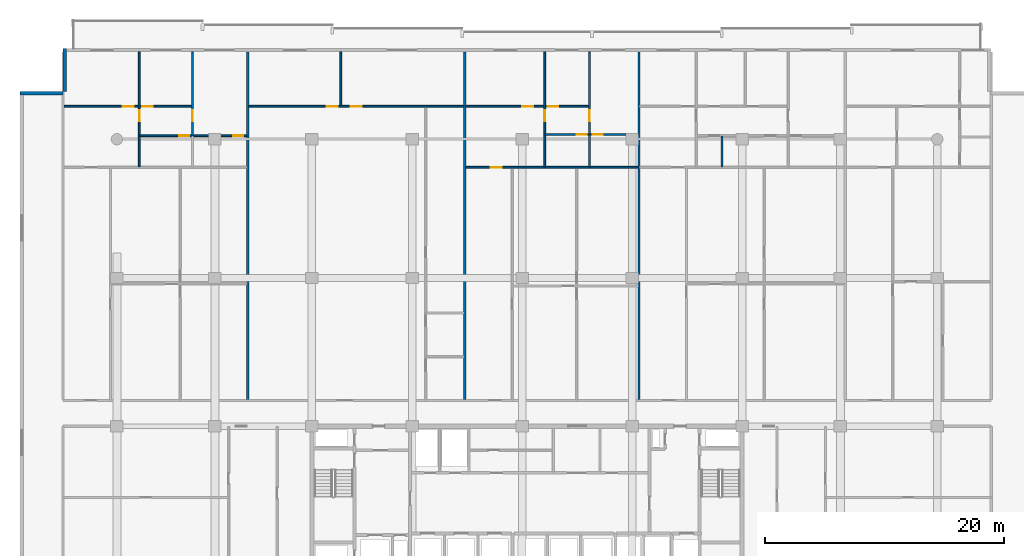
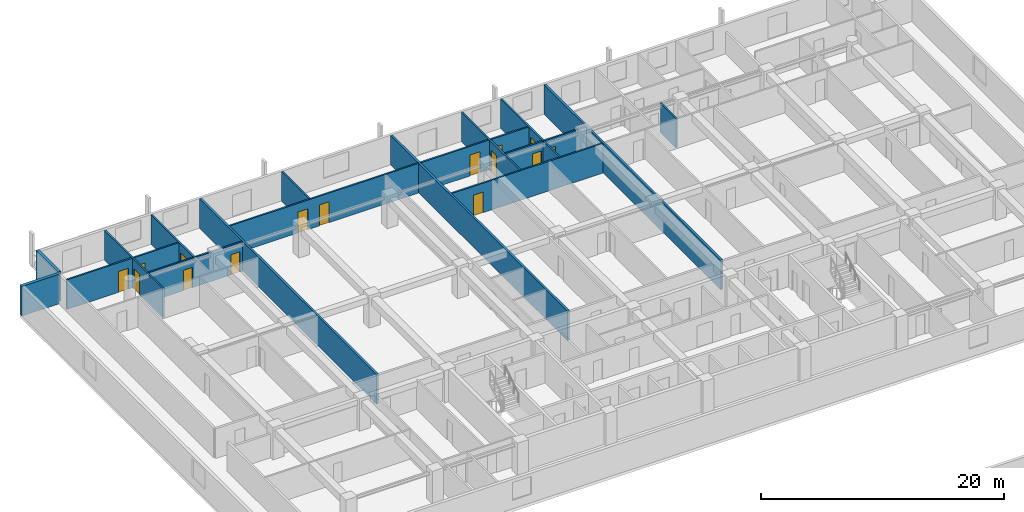
# One storey, part 15 of 24: 18 walls, 15 doors, 15 openings.
"""IFC4 building model written with IfcOpenShell, lengths in metres."""

import ifcopenshell
import ifcopenshell.guid

model = None  # the IFC model being written
_history = None  # IfcOwnerHistory: only IFC2X3 demands one
_inside = {}  # id of a spatial element -> (the spatial element, [elements in it])
_under = {}  # id of a project, library or spatial element -> (it, [spatial elements below it])
_declared = {}  # id of a project -> (the project, [libraries it declares])
_typed = {}  # id of a type object -> (the type object, [elements of that type])
_made_of = {}  # id of a material, layer set ... -> (it, [elements and type objects made of it])


def new_model(schema):
    """Start an empty IFC model of exactly this schema.

    Asked for "IFC4X3", IfcOpenShell would pick the latest addendum, in which some entities
    have other attributes; the version numbers below select the first issue.
    IFC2X3 requires an IfcOwnerHistory on every rooted entity: one is made here for all.
    """
    global model, _history
    if schema == "IFC4X3":
        model = ifcopenshell.file(schema_version=(4, 3, 0, 0))
    else:
        model = ifcopenshell.file(schema=schema)
    _inside.clear()
    _under.clear()
    _declared.clear()
    _typed.clear()
    _made_of.clear()
    _history = None
    if model.schema == "IFC2X3":
        org = make("IfcOrganization", Name="unknown")
        user = make(
            "IfcPersonAndOrganization",
            ThePerson=make("IfcPerson", FamilyName="unknown"),
            TheOrganization=org,
        )
        app = make(
            "IfcApplication",
            ApplicationDeveloper=org,
            Version="unknown",
            ApplicationFullName="unknown",
            ApplicationIdentifier="unknown",
        )
        _history = make(
            "IfcOwnerHistory",
            OwningUser=user,
            OwningApplication=app,
            ChangeAction="ADDED",
            CreationDate=0,
        )
    return model


def make(cls, **values):
    """One entity of the class cls with the attributes given. An attribute that is None is left unset."""
    return model.create_entity(
        cls, **{name: value for name, value in values.items() if value is not None}
    )


def rooted(cls, **values):
    """An entity with a GlobalId (a new one), such as an element, a storey or a relation."""
    return make(cls, GlobalId=ifcopenshell.guid.new(), OwnerHistory=_history, **values)


def si_unit(unit_type, name, prefix=None):
    """IfcSIUnit, for example si_unit("LENGTHUNIT", "METRE", prefix="MILLI")."""
    return make("IfcSIUnit", UnitType=unit_type, Prefix=prefix, Name=name)


def assignment(units):
    """IfcUnitAssignment: the units of a project."""
    return None if units is None else make("IfcUnitAssignment", Units=units)


def point(xyz):
    """IfcCartesianPoint."""
    return None if xyz is None else make("IfcCartesianPoint", Coordinates=xyz)


def direction(xyz):
    """IfcDirection."""
    return None if xyz is None else make("IfcDirection", DirectionRatios=xyz)


def frame(location, z_axis=None, x_axis=None):
    """IfcAxis2Placement3D, a coordinate frame: its origin and axes. An axis left out is left unset."""
    return make(
        "IfcAxis2Placement3D",
        Location=point(location),
        Axis=direction(z_axis),
        RefDirection=direction(x_axis),
    )


def frame_2d(location, x_axis=None):
    """IfcAxis2Placement2D, a coordinate frame in the plane: its origin and x axis."""
    return make(
        "IfcAxis2Placement2D", Location=point(location), RefDirection=direction(x_axis)
    )


def origin():
    """The frame at (0, 0, 0) with its axes left unset."""
    return frame((0.0, 0.0, 0.0))


def place(relative_to, where):
    """IfcLocalPlacement: puts the frame where relative to a parent placement (None: the world)."""
    return make(
        "IfcLocalPlacement", PlacementRelTo=relative_to, RelativePlacement=where
    )


def context(
    kind, dimensions, precision=None, world=None, true_north=None, identifier=None
):
    """IfcGeometricRepresentationContext, for example the 3D "Model" context."""
    return make(
        "IfcGeometricRepresentationContext",
        ContextIdentifier=identifier,
        ContextType=kind,
        CoordinateSpaceDimension=dimensions,
        Precision=precision,
        WorldCoordinateSystem=world,
        TrueNorth=true_north,
    )


def subcontext(parent, identifier, kind, view, scale=None):
    """IfcGeometricRepresentationSubContext, for example "Body" below "Model"."""
    return make(
        "IfcGeometricRepresentationSubContext",
        ContextIdentifier=identifier,
        ContextType=kind,
        ParentContext=parent,
        TargetScale=scale,
        TargetView=view,
    )


def project(units=None, contexts=None):
    """IfcProject with its units and contexts."""
    return rooted(
        "IfcProject",
        Name="project",
        RepresentationContexts=contexts,
        UnitsInContext=assignment(units),
    )


def spatial(cls, under=None, at=None, **own):
    """A site, building, storey or space (cls), placed at a placement, below another one or the project."""
    s = rooted(cls, ObjectPlacement=at, **own)
    if under is not None:
        _under.setdefault(under.id(), (under, []))[1].append(s)
    return s


def profile(cls, at=None, kind="AREA", **sizes):
    """A parametric profile (cls). Its sizes go by their IFC names, for example OverallWidth=200.0."""
    return make(cls, ProfileType=kind, Position=at, **sizes)


def rectangle(**sizes):
    """IfcRectangleProfileDef."""
    return profile("IfcRectangleProfileDef", **sizes)


def extrude(swept, where, along, depth):
    """IfcExtrudedAreaSolid: the profile swept, set in the frame where, extruded along a direction by depth."""
    return make(
        "IfcExtrudedAreaSolid",
        SweptArea=swept,
        Position=where,
        ExtrudedDirection=direction(along),
        Depth=depth,
    )


def shape(context_of_items, identifier, shape_type, items):
    """IfcShapeRepresentation: the items that make up one representation, for example the "Body"."""
    return make(
        "IfcShapeRepresentation",
        ContextOfItems=context_of_items,
        RepresentationIdentifier=identifier,
        RepresentationType=shape_type,
        Items=items,
    )


def material(Name=None, Category=None):
    """IfcMaterial."""
    return make("IfcMaterial", Name=Name, Category=Category)


def layer(
    of_material, thickness, ventilated=None, Name=None, Category=None, Priority=None
):
    """IfcMaterialLayer: one layer of a wall or slab, of a material (None: an air gap)."""
    return make(
        "IfcMaterialLayer",
        Material=of_material,
        LayerThickness=thickness,
        IsVentilated=ventilated,
        Name=Name,
        Category=Category,
        Priority=Priority,
    )


def layer_set(layers, Name=None):
    """IfcMaterialLayerSet."""
    return make("IfcMaterialLayerSet", MaterialLayers=layers, LayerSetName=Name)


def made_of(thing, what):
    """Note that an element or type object is made of a material, layer set ...; save() writes the relation."""
    if what is not None:
        _made_of.setdefault(what.id(), (what, []))[1].append(thing)
    return thing


def type_object(cls, material=None, **own):
    """A type object (cls), such as IfcWallType, which elements share."""
    return made_of(rooted(cls, **own), material)


def element(
    cls,
    number,
    at=None,
    inside=None,
    cuts=None,
    type_object=None,
    material=None,
    context=None,
    identifier="Body",
    shape_type=None,
    held_by="IfcProductDefinitionShape",
    body=None,
    shapes=None,
    **own,
):
    """One element of the class cls, such as IfcWall. Its Tag is "e" and its number.

    at: its placement. inside: the storey or other place that contains it. cuts: it is an
    opening in that element (IfcRelVoidsElement). A single representation is given by context,
    identifier, shape_type and body (its items); several are given by shapes. held_by: the class
    of the entity that holds the representations. save() writes the other relations.
    """
    e = rooted(cls, Tag="e%d" % number, ObjectPlacement=at, **own)
    if body is not None:
        shapes = [shape(context, identifier, shape_type, body)]
    if shapes is not None:
        e.Representation = make(held_by, Representations=shapes)
    if inside is not None:
        _inside.setdefault(inside.id(), (inside, []))[1].append(e)
    if cuts is not None:
        rooted(
            "IfcRelVoidsElement", RelatingBuildingElement=cuts, RelatedOpeningElement=e
        )
    if type_object is not None:
        _typed.setdefault(type_object.id(), (type_object, []))[1].append(e)
    return made_of(e, material)


def fill(opening, filler):
    """IfcRelFillsElement: the door or window that sits in an opening."""
    return rooted(
        "IfcRelFillsElement",
        RelatingOpeningElement=opening,
        RelatedBuildingElement=filler,
    )


def aggregate(whole, parts):
    """IfcRelAggregates: a whole, such as a stair, and the parts it consists of."""
    return rooted("IfcRelAggregates", RelatingObject=whole, RelatedObjects=parts)


def save(model, path):
    """Write the relations noted so far, then the file.

    IfcRelAggregates (storeys below a building ...), IfcRelContainedInSpatialStructure (elements
    in a storey), IfcRelDefinesByType, IfcRelAssociatesMaterial and IfcRelDeclares: one each for
    every whole, place, type object, material and project.
    """
    for whole, parts in _under.values():
        aggregate(whole, parts)
    for where, things in _inside.values():
        rooted(
            "IfcRelContainedInSpatialStructure",
            RelatedElements=things,
            RelatingStructure=where,
        )
    for kind, things in _typed.values():
        rooted("IfcRelDefinesByType", RelatedObjects=things, RelatingType=kind)
    for what, things in _made_of.values():
        rooted("IfcRelAssociatesMaterial", RelatedObjects=things, RelatingMaterial=what)
    for by, libraries in _declared.values():
        rooted("IfcRelDeclares", RelatingContext=by, RelatedDefinitions=libraries)
    model.write(path)


model = new_model("IFC4")

# Units and contexts
model_context = context("Model", 3, precision=1e-05, world=origin(), true_north=direction((0.0, 1.0)))
body_context = subcontext(model_context, "Body", "Model", "MODEL_VIEW")
ifc_project = project(units=[si_unit("LENGTHUNIT", "METRE"), si_unit("AREAUNIT", "SQUARE_METRE"), si_unit("VOLUMEUNIT", "CUBIC_METRE"), si_unit("PLANEANGLEUNIT", "RADIAN"), si_unit("MASSUNIT", "GRAM", prefix="KILO")], contexts=[model_context])

# Site, building, storey
site_placement = place(None, origin())
site = spatial("IfcSite", under=ifc_project, at=site_placement, CompositionType="ELEMENT")
building_placement = place(site_placement, origin())
building = spatial("IfcBuilding", under=site, at=building_placement, Name="Korimba Cascade Residences", CompositionType="ELEMENT")
storey_placement = place(building_placement, frame((0.0, 0.0, 43.5)))
storey = spatial("IfcBuildingStorey", under=building, at=storey_placement, Name="L11", CompositionType="ELEMENT", Elevation=43.5)

# Walls
ifc_material_1 = material(Name="Precast concrete C40/50", Category="concrete")
ifc_layer_1 = layer(ifc_material_1, 0.300048828125)
ifc_layer_set_1 = layer_set([ifc_layer_1], Name="Precast concrete C40/50")
wall_type_1 = type_object("IfcWallType", Name="EW-STONE-300", PredefinedType="STANDARD", material=ifc_layer_set_1)
for number, where, z_axis, x_axis, name in (
    (1, (55.449951171875, 98.800048828125, 0.0), (0.0, 0.0, 1.0), (0.0, -1.0, 0.0), "L11 T1 Perimeter Stone Wall E07"),
    (2, (55.300048828125, 95.050048828125, 0.0), (0.0, 0.0, 1.0), (-1.0, 0.0, 0.0), "L11 T1 Perimeter Stone Wall E08"),
):
    element("IfcWall", number, at=place(storey_placement, frame(where, z_axis=z_axis, x_axis=x_axis)), inside=storey, type_object=wall_type_1, Name=name, PredefinedType="STANDARD", context=body_context, shape_type="SweptSolid", body=[
        extrude(rectangle(XDim=3.60009765625, YDim=0.300048828125, at=frame_2d((1.800048828125, 0.0))), origin(), (0.0, 0.0, 1.0), 2.969970703125),
    ])
ifc_layer_2 = layer(ifc_material_1, 0.199951171875)
ifc_layer_set_2 = layer_set([ifc_layer_2], Name="Precast concrete C40/50")
wall_type_2 = type_object("IfcWallType", Name="WAL-IT-200", PredefinedType="PARTITIONING", material=ifc_layer_set_2)
for number, where, z_axis, x_axis, name in (
    (3, (70.755126953125, 69.429931640625, 0.0), (0.0, 0.0, 1.0), (0.0, 1.0, 0.0), "L11 Partition Wall WAL-L11-T1-DEM-1"),
    (4, (88.894287109375, 69.429931640625, 0.0), (0.0, 0.0, 1.0), (0.0, 1.0, 0.0), "L11 Partition Wall WAL-L11-T1-DEM-2"),
    (5, (103.45751953125, 69.429931640625, 0.0), (0.0, 0.0, 1.0), (0.0, 1.0, 0.0), "L11 Partition Wall WAL-L11-T1-DEM-3"),
):
    element("IfcWall", number, at=place(storey_placement, frame(where, z_axis=z_axis, x_axis=x_axis)), inside=storey, type_object=wall_type_2, Name=name, PredefinedType="PARTITIONING", context=body_context, shape_type="SweptSolid", body=[
        extrude(rectangle(XDim=29.070068359375, YDim=0.199951171875, at=frame_2d((14.53515625, 0.0))), origin(), (0.0, 0.0, 1.0), 2.969970703125),
    ])

# Wall, opening, door
ifc_material_2 = material(Name="Insulated Acoustic Stud Partition", Category="gypsum")
ifc_layer_3 = layer(ifc_material_2, 0.14990234375)
ifc_layer_set_3 = layer_set([ifc_layer_3], Name="Insulated Acoustic Stud Partition")
wall_type_3 = type_object("IfcWallType", Name="WAL-PART-150", PredefinedType="PARTITIONING", material=ifc_layer_set_3)
wall_1_placement = place(storey_placement, frame((61.679931640625, 88.889892578125, 0.0), z_axis=(0.0, 0.0, 1.0), x_axis=(0.0, 1.0, 0.0)))
wall_1 = element("IfcWall", 6, at=wall_1_placement, inside=storey, type_object=wall_type_3, Name="L11 Partition Wall WAL-L11-T1-U01-V1", PredefinedType="PARTITIONING", context=body_context, shape_type="SweptSolid", body=[
    extrude(rectangle(XDim=9.610107421875, YDim=0.14990234375, at=frame_2d((4.80517578125, 0.0))), origin(), (0.0, 0.0, 1.0), 2.969970703125),
])
opening_1_placement = place(wall_1_placement, frame((3.820068359375, 0.0, 0.0)))
opening_1 = element("IfcOpeningElement", 7, at=opening_1_placement, cuts=wall_1, Name="Opening D-IN1", PredefinedType="OPENING", context=body_context, shape_type="SweptSolid", body=[
    extrude(rectangle(XDim=0.919921875, YDim=2.080078125, at=frame_2d((0.4599609375, 1.0400390625))), frame((0.0, 0.0849609375, 0.0), z_axis=(0.0, -1.0, 0.0), x_axis=(1.0, 0.0, 0.0)), (0.0, 0.0, 1.0), 0.169921875),
])
ifc_material_3 = material(Name="Acoustic Timber Living Door", Category="wood")
door_type_1 = type_object("IfcDoorType", Name="DR-INT-920", OperationType="NOTDEFINED", PredefinedType="DOOR", material=ifc_material_3)
door_1_placement = place(opening_1_placement, origin())
door_1 = element("IfcDoor", 8, at=door_1_placement, inside=storey, type_object=door_type_1, Name="L11-T1-U01 Hallway Door", OperationType="SINGLE_SWING_LEFT", OverallHeight=2.080078125, OverallWidth=0.919921875, PredefinedType="DOOR", context=body_context, shape_type="SweptSolid", body=[
    extrude(rectangle(XDim=0.919921875, YDim=2.080078125, at=frame_2d((0.4599609375, 1.0400390625))), frame((0.0, 0.02490234375, 0.0), z_axis=(0.0, -1.0, 0.0), x_axis=(1.0, 0.0, 0.0)), (0.0, 0.0, 1.0), 0.050048828125),
])
fill(opening_1, door_1)

wall_2_placement = place(storey_placement, frame((66.1201171875, 91.510009765625, 0.0), z_axis=(0.0, 0.0, 1.0), x_axis=(0.0, 1.0, 0.0)))
wall_2 = element("IfcWall", 9, at=wall_2_placement, inside=storey, type_object=wall_type_3, Name="L11 Partition Wall WAL-L11-T1-U01-V2FULL", PredefinedType="PARTITIONING", context=body_context, shape_type="SweptSolid", body=[
    extrude(rectangle(XDim=6.989990234375, YDim=0.14990234375, at=frame_2d((3.4951171875, 0.0))), origin(), (0.0, 0.0, 1.0), 2.969970703125),
])
opening_2_placement = place(wall_2_placement, frame((1.199951171875, 0.0, 0.0)))
opening_2 = element("IfcOpeningElement", 10, at=opening_2_placement, cuts=wall_2, Name="Opening D-IN1", PredefinedType="OPENING", context=body_context, shape_type="SweptSolid", body=[
    extrude(rectangle(XDim=0.919921875, YDim=2.080078125, at=frame_2d((0.4599609375, 1.0400390625))), frame((0.0, 0.0849609375, 0.0), z_axis=(0.0, -1.0, 0.0), x_axis=(1.0, 0.0, 0.0)), (0.0, 0.0, 1.0), 0.169921875),
])
door_2_placement = place(opening_2_placement, origin())
door_2 = element("IfcDoor", 11, at=door_2_placement, inside=storey, type_object=door_type_1, Name="L11-T1-U01 Master Bedroom Door", OperationType="SINGLE_SWING_RIGHT", OverallHeight=2.080078125, OverallWidth=0.919921875, PredefinedType="DOOR", context=body_context, shape_type="SweptSolid", body=[
    extrude(rectangle(XDim=0.919921875, YDim=2.080078125, at=frame_2d((0.4599609375, 1.0400390625))), frame((0.0, 0.02490234375, 0.0), z_axis=(0.0, -1.0, 0.0), x_axis=(1.0, 0.0, 0.0)), (0.0, 0.0, 1.0), 0.050048828125),
])
fill(opening_2, door_2)

# Wall, openings, doors
wall_3_placement = place(storey_placement, frame((61.719970703125, 91.489990234375, 0.0), z_axis=(0.0, 0.0, 1.0), x_axis=(1.0, 0.0, 0.0)))
wall_3 = element("IfcWall", 12, at=wall_3_placement, inside=storey, type_object=wall_type_3, Name="L11 Partition Wall WAL-L11-T1-U01-HWALL", PredefinedType="PARTITIONING", context=body_context, shape_type="SweptSolid", body=[
    extrude(rectangle(XDim=8.955322265625, YDim=0.14990234375, at=frame_2d((4.4775390625, 0.0))), origin(), (0.0, 0.0, 1.0), 2.969970703125),
])
opening_3_placement = place(wall_3_placement, frame((3.31005859375, 0.0, 0.0)))
opening_3 = element("IfcOpeningElement", 13, at=opening_3_placement, cuts=wall_3, Name="Opening D-BT1", PredefinedType="OPENING", context=body_context, shape_type="SweptSolid", body=[
    extrude(rectangle(XDim=0.840087890625, YDim=2.0400390625, at=frame_2d((0.419921875, 1.02001953125))), frame((0.0, 0.0849609375, 0.0), z_axis=(0.0, -1.0, 0.0), x_axis=(1.0, 0.0, 0.0)), (0.0, 0.0, 1.0), 0.169921875),
])
opening_4_placement = place(wall_3_placement, frame((7.8251953125, 0.0, 0.0)))
opening_4 = element("IfcOpeningElement", 14, at=opening_4_placement, cuts=wall_3, Name="Opening D-BT1", PredefinedType="OPENING", context=body_context, shape_type="SweptSolid", body=[
    extrude(rectangle(XDim=0.840087890625, YDim=2.0400390625, at=frame_2d((0.419921875, 1.02001953125))), frame((0.0, 0.0849609375, 0.0), z_axis=(0.0, -1.0, 0.0), x_axis=(1.0, 0.0, 0.0)), (0.0, 0.0, 1.0), 0.169921875),
])
ifc_material_4 = material(Name="Moisture-Resistant Bathroom Timber Door", Category="wood")
door_type_2 = type_object("IfcDoorType", Name="DR-INT-850", OperationType="NOTDEFINED", PredefinedType="DOOR", material=ifc_material_4)
door_3_placement = place(opening_3_placement, origin())
door_3 = element("IfcDoor", 15, at=door_3_placement, inside=storey, type_object=door_type_2, Name="L11-T1-U01 Family Bathroom Door", OperationType="SINGLE_SWING_LEFT", OverallHeight=2.0400390625, OverallWidth=0.840087890625, PredefinedType="DOOR", context=body_context, shape_type="SweptSolid", body=[
    extrude(rectangle(XDim=0.840087890625, YDim=2.0400390625, at=frame_2d((0.419921875, 1.02001953125))), frame((0.0, 0.02490234375, 0.0), z_axis=(0.0, -1.0, 0.0), x_axis=(1.0, 0.0, 0.0)), (0.0, 0.0, 1.0), 0.050048828125),
])
fill(opening_3, door_3)
door_4_placement = place(opening_4_placement, origin())
door_4 = element("IfcDoor", 16, at=door_4_placement, inside=storey, type_object=door_type_2, Name="L11-T1-U01 En-Suite Door", OperationType="SINGLE_SWING_RIGHT", OverallHeight=2.0400390625, OverallWidth=0.840087890625, PredefinedType="DOOR", context=body_context, shape_type="SweptSolid", body=[
    extrude(rectangle(XDim=0.840087890625, YDim=2.0400390625, at=frame_2d((0.419921875, 1.02001953125))), frame((0.0, 0.02490234375, 0.0), z_axis=(0.0, -1.0, 0.0), x_axis=(1.0, 0.0, 0.0)), (0.0, 0.0, 1.0), 0.050048828125),
])
fill(opening_4, door_4)

wall_4_placement = place(storey_placement, frame((55.3798828125, 93.949951171875, 0.0), z_axis=(0.0, 0.0, 1.0), x_axis=(1.0, 0.0, 0.0)))
wall_4 = element("IfcWall", 17, at=wall_4_placement, inside=storey, type_object=wall_type_3, Name="L11 Partition Wall WAL-L11-T1-U01-HZ", PredefinedType="PARTITIONING", context=body_context, shape_type="SweptSolid", body=[
    extrude(rectangle(XDim=10.740234375, YDim=0.14990234375, at=frame_2d((5.3701171875, 0.0))), origin(), (0.0, 0.0, 1.0), 2.969970703125),
])
opening_5_placement = place(wall_4_placement, frame((4.89990234375, 0.0, 0.0)))
opening_5 = element("IfcOpeningElement", 18, at=opening_5_placement, cuts=wall_4, Name="Opening D-IN0", PredefinedType="OPENING", context=body_context, shape_type="SweptSolid", body=[
    extrude(rectangle(XDim=0.93994140625, YDim=2.10009765625, at=frame_2d((0.469970703125, 1.050048828125))), frame((0.0, 0.0849609375, 0.0), z_axis=(0.0, -1.0, 0.0), x_axis=(1.0, 0.0, 0.0)), (0.0, 0.0, 1.0), 0.169921875),
])
opening_6_placement = place(wall_4_placement, frame((6.550048828125, 0.0, 0.0)))
opening_6 = element("IfcOpeningElement", 19, at=opening_6_placement, cuts=wall_4, Name="Opening D-IN2", PredefinedType="OPENING", context=body_context, shape_type="SweptSolid", body=[
    extrude(rectangle(XDim=0.8798828125, YDim=2.06005859375, at=frame_2d((0.43994140625, 1.030029296875))), frame((0.0, 0.0849609375, 0.0), z_axis=(0.0, -1.0, 0.0), x_axis=(1.0, 0.0, 0.0)), (0.0, 0.0, 1.0), 0.169921875),
])
ifc_material_5 = material(Name="Acoustic Timber Bedroom Door", Category="wood")
door_type_3 = type_object("IfcDoorType", Name="DR-INT-880", OperationType="NOTDEFINED", PredefinedType="DOOR", material=ifc_material_5)
door_5_placement = place(opening_6_placement, origin())
door_5 = element("IfcDoor", 20, at=door_5_placement, inside=storey, type_object=door_type_3, Name="L11-T1-U01 Bedroom 2 Door", OperationType="SINGLE_SWING_LEFT", OverallHeight=2.06005859375, OverallWidth=0.8798828125, PredefinedType="DOOR", context=body_context, shape_type="SweptSolid", body=[
    extrude(rectangle(XDim=0.8798828125, YDim=2.06005859375, at=frame_2d((0.43994140625, 1.030029296875))), frame((0.0, 0.02490234375, 0.0), z_axis=(0.0, -1.0, 0.0), x_axis=(1.0, 0.0, 0.0)), (0.0, 0.0, 1.0), 0.050048828125),
])
fill(opening_6, door_5)
ifc_material_6 = material(Name="Acoustic Timber Living Archway Door", Category="wood")
door_type_4 = type_object("IfcDoorType", Name="DR-INT-950", OperationType="NOTDEFINED", PredefinedType="DOOR", material=ifc_material_6)
door_6_placement = place(opening_5_placement, origin())
door_6 = element("IfcDoor", 21, at=door_6_placement, inside=storey, type_object=door_type_4, Name="L11-T1-U01 Living Room Door", OperationType="SINGLE_SWING_RIGHT", OverallHeight=2.10009765625, OverallWidth=0.93994140625, PredefinedType="DOOR", context=body_context, shape_type="SweptSolid", body=[
    extrude(rectangle(XDim=0.93994140625, YDim=2.10009765625, at=frame_2d((0.469970703125, 1.050048828125))), frame((0.0, 0.02490234375, 0.0), z_axis=(0.0, -1.0, 0.0), x_axis=(1.0, 0.0, 0.0)), (0.0, 0.0, 1.0), 0.050048828125),
])
fill(opening_5, door_6)

# Wall
wall_5_placement = place(storey_placement, frame((78.519775390625, 94.030029296875, 0.0), z_axis=(0.0, 0.0, 1.0), x_axis=(0.0, 1.0, 0.0)))
element("IfcWall", 22, at=wall_5_placement, inside=storey, type_object=wall_type_3, Name="L11 Partition Wall WAL-L11-T1-U02-OUTV", PredefinedType="PARTITIONING", context=body_context, shape_type="SweptSolid", body=[
    extrude(rectangle(XDim=4.469970703125, YDim=0.14990234375, at=frame_2d((2.23486328125, 0.0))), origin(), (0.0, 0.0, 1.0), 2.969970703125),
])

# Wall, openings, doors
wall_6_placement = place(storey_placement, frame((70.835205078125, 93.949951171875, 0.0), z_axis=(0.0, 0.0, 1.0), x_axis=(1.0, 0.0, 0.0)))
wall_6 = element("IfcWall", 23, at=wall_6_placement, inside=storey, type_object=wall_type_3, Name="L11 Partition Wall WAL-L11-T1-U02-HZ", PredefinedType="PARTITIONING", context=body_context, shape_type="SweptSolid", body=[
    extrude(rectangle(XDim=17.97900390625, YDim=0.14990234375, at=frame_2d((8.989501953125, 0.0))), origin(), (0.0, 0.0, 1.0), 2.969970703125),
])
opening_7_placement = place(wall_6_placement, frame((6.49462890625, 0.0, 0.0)))
opening_7 = element("IfcOpeningElement", 24, at=opening_7_placement, cuts=wall_6, Name="Opening D-IN0", PredefinedType="OPENING", context=body_context, shape_type="SweptSolid", body=[
    extrude(rectangle(XDim=0.93994140625, YDim=2.10009765625, at=frame_2d((0.469970703125, 1.050048828125))), frame((0.0, 0.0849609375, 0.0), z_axis=(0.0, -1.0, 0.0), x_axis=(1.0, 0.0, 0.0)), (0.0, 0.0, 1.0), 0.169921875),
])
opening_8_placement = place(wall_6_placement, frame((8.51953125, 0.0, 0.0)))
opening_8 = element("IfcOpeningElement", 25, at=opening_8_placement, cuts=wall_6, Name="Opening D-IN0", PredefinedType="OPENING", context=body_context, shape_type="SweptSolid", body=[
    extrude(rectangle(XDim=0.93994140625, YDim=2.10009765625, at=frame_2d((0.469970703125, 1.050048828125))), frame((0.0, 0.0849609375, 0.0), z_axis=(0.0, -1.0, 0.0), x_axis=(1.0, 0.0, 0.0)), (0.0, 0.0, 1.0), 0.169921875),
])
door_7_placement = place(opening_7_placement, origin())
door_7 = element("IfcDoor", 26, at=door_7_placement, inside=storey, type_object=door_type_4, Name="L11-T1-U02 Resident Boardroom Door", OperationType="SINGLE_SWING_LEFT", OverallHeight=2.10009765625, OverallWidth=0.93994140625, PredefinedType="DOOR", context=body_context, shape_type="SweptSolid", body=[
    extrude(rectangle(XDim=0.93994140625, YDim=2.10009765625, at=frame_2d((0.469970703125, 1.050048828125))), frame((0.0, 0.02490234375, 0.0), z_axis=(0.0, -1.0, 0.0), x_axis=(1.0, 0.0, 0.0)), (0.0, 0.0, 1.0), 0.050048828125),
])
fill(opening_7, door_7)
door_8_placement = place(opening_8_placement, origin())
door_8 = element("IfcDoor", 27, at=door_8_placement, inside=storey, type_object=door_type_4, Name="L11-T1-U02 Executive Seminar Room Door", OperationType="SINGLE_SWING_RIGHT", OverallHeight=2.10009765625, OverallWidth=0.93994140625, PredefinedType="DOOR", context=body_context, shape_type="SweptSolid", body=[
    extrude(rectangle(XDim=0.93994140625, YDim=2.10009765625, at=frame_2d((0.469970703125, 1.050048828125))), frame((0.0, 0.02490234375, 0.0), z_axis=(0.0, -1.0, 0.0), x_axis=(1.0, 0.0, 0.0)), (0.0, 0.0, 1.0), 0.050048828125),
])
fill(opening_8, door_8)

# Wall, opening, door
wall_7_placement = place(storey_placement, frame((95.580078125, 88.889892578125, 0.0), z_axis=(0.0, 0.0, 1.0), x_axis=(0.0, 1.0, 0.0)))
wall_7 = element("IfcWall", 28, at=wall_7_placement, inside=storey, type_object=wall_type_3, Name="L11 Partition Wall WAL-L11-T1-U03-V1", PredefinedType="PARTITIONING", context=body_context, shape_type="SweptSolid", body=[
    extrude(rectangle(XDim=9.610107421875, YDim=0.14990234375, at=frame_2d((4.80517578125, 0.0))), origin(), (0.0, 0.0, 1.0), 2.969970703125),
])
opening_9_placement = place(wall_7_placement, frame((3.820068359375, 0.0, 0.0)))
opening_9 = element("IfcOpeningElement", 29, at=opening_9_placement, cuts=wall_7, Name="Opening D-IN1", PredefinedType="OPENING", context=body_context, shape_type="SweptSolid", body=[
    extrude(rectangle(XDim=0.919921875, YDim=2.080078125, at=frame_2d((0.4599609375, 1.0400390625))), frame((0.0, 0.0849609375, 0.0), z_axis=(0.0, -1.0, 0.0), x_axis=(1.0, 0.0, 0.0)), (0.0, 0.0, 1.0), 0.169921875),
])
door_9_placement = place(opening_9_placement, origin())
door_9 = element("IfcDoor", 30, at=door_9_placement, inside=storey, type_object=door_type_1, Name="L11-T1-U03 Hallway Door", OperationType="SINGLE_SWING_LEFT", OverallHeight=2.080078125, OverallWidth=0.919921875, PredefinedType="DOOR", context=body_context, shape_type="SweptSolid", body=[
    extrude(rectangle(XDim=0.919921875, YDim=2.080078125, at=frame_2d((0.4599609375, 1.0400390625))), frame((0.0, 0.02490234375, 0.0), z_axis=(0.0, -1.0, 0.0), x_axis=(1.0, 0.0, 0.0)), (0.0, 0.0, 1.0), 0.050048828125),
])
fill(opening_9, door_9)

# Wall
wall_8_placement = place(storey_placement, frame((99.326904296875, 88.889892578125, 0.0), z_axis=(0.0, 0.0, 1.0), x_axis=(0.0, 1.0, 0.0)))
element("IfcWall", 31, at=wall_8_placement, inside=storey, type_object=wall_type_3, Name="L11 Partition Wall WAL-L11-T1-U03-VBATH", PredefinedType="PARTITIONING", context=body_context, shape_type="SweptSolid", body=[
    extrude(rectangle(XDim=2.690185546875, YDim=0.14990234375, at=frame_2d((1.34521484375, 0.0))), origin(), (0.0, 0.0, 1.0), 2.969970703125),
])

# Wall, opening, door
wall_9_placement = place(storey_placement, frame((99.326904296875, 91.6201171875, 0.0), z_axis=(0.0, 0.0, 1.0), x_axis=(0.0, 1.0, 0.0)))
wall_9 = element("IfcWall", 32, at=wall_9_placement, inside=storey, type_object=wall_type_3, Name="L11 Partition Wall WAL-L11-T1-U03-V2FULL", PredefinedType="PARTITIONING", context=body_context, shape_type="SweptSolid", body=[
    extrude(rectangle(XDim=6.8798828125, YDim=0.14990234375, at=frame_2d((3.43994140625, 0.0))), origin(), (0.0, 0.0, 1.0), 2.969970703125),
])
opening_10_placement = place(wall_9_placement, frame((1.090087890625, 0.0, 0.0)))
opening_10 = element("IfcOpeningElement", 33, at=opening_10_placement, cuts=wall_9, Name="Opening D-IN1", PredefinedType="OPENING", context=body_context, shape_type="SweptSolid", body=[
    extrude(rectangle(XDim=0.919921875, YDim=2.080078125, at=frame_2d((0.4599609375, 1.0400390625))), frame((0.0, 0.0849609375, 0.0), z_axis=(0.0, -1.0, 0.0), x_axis=(1.0, 0.0, 0.0)), (0.0, 0.0, 1.0), 0.169921875),
])
door_10_placement = place(opening_10_placement, origin())
door_10 = element("IfcDoor", 34, at=door_10_placement, inside=storey, type_object=door_type_1, Name="L11-T1-U03 Master Bedroom Door", OperationType="SINGLE_SWING_RIGHT", OverallHeight=2.080078125, OverallWidth=0.919921875, PredefinedType="DOOR", context=body_context, shape_type="SweptSolid", body=[
    extrude(rectangle(XDim=0.919921875, YDim=2.080078125, at=frame_2d((0.4599609375, 1.0400390625))), frame((0.0, 0.02490234375, 0.0), z_axis=(0.0, -1.0, 0.0), x_axis=(1.0, 0.0, 0.0)), (0.0, 0.0, 1.0), 0.050048828125),
])
fill(opening_10, door_10)

# Wall, openings, doors
wall_10_placement = place(storey_placement, frame((95.6201171875, 91.60009765625, 0.0), z_axis=(0.0, 0.0, 1.0), x_axis=(1.0, 0.0, 0.0)))
wall_10 = element("IfcWall", 35, at=wall_10_placement, inside=storey, type_object=wall_type_3, Name="L11 Partition Wall WAL-L11-T1-U03-HWALL", PredefinedType="PARTITIONING", context=body_context, shape_type="SweptSolid", body=[
    extrude(rectangle(XDim=7.75732421875, YDim=0.14990234375, at=frame_2d((3.878662109375, 0.0))), origin(), (0.0, 0.0, 1.0), 2.969970703125),
])
opening_11_placement = place(wall_10_placement, frame((2.616943359375, 0.0, 0.0)))
opening_11 = element("IfcOpeningElement", 36, at=opening_11_placement, cuts=wall_10, Name="Opening D-BT1", PredefinedType="OPENING", context=body_context, shape_type="SweptSolid", body=[
    extrude(rectangle(XDim=0.840087890625, YDim=2.0400390625, at=frame_2d((0.419921875, 1.02001953125))), frame((0.0, 0.0849609375, 0.0), z_axis=(0.0, -1.0, 0.0), x_axis=(1.0, 0.0, 0.0)), (0.0, 0.0, 1.0), 0.169921875),
])
opening_12_placement = place(wall_10_placement, frame((3.95703125, 0.0, 0.0)))
opening_12 = element("IfcOpeningElement", 37, at=opening_12_placement, cuts=wall_10, Name="Opening D-BT1", PredefinedType="OPENING", context=body_context, shape_type="SweptSolid", body=[
    extrude(rectangle(XDim=0.840087890625, YDim=2.0400390625, at=frame_2d((0.419921875, 1.02001953125))), frame((0.0, 0.0849609375, 0.0), z_axis=(0.0, -1.0, 0.0), x_axis=(1.0, 0.0, 0.0)), (0.0, 0.0, 1.0), 0.169921875),
])
door_11_placement = place(opening_11_placement, origin())
door_11 = element("IfcDoor", 38, at=door_11_placement, inside=storey, type_object=door_type_2, Name="L11-T1-U03 Family Bathroom Door", OperationType="SINGLE_SWING_LEFT", OverallHeight=2.0400390625, OverallWidth=0.840087890625, PredefinedType="DOOR", context=body_context, shape_type="SweptSolid", body=[
    extrude(rectangle(XDim=0.840087890625, YDim=2.0400390625, at=frame_2d((0.419921875, 1.02001953125))), frame((0.0, 0.02490234375, 0.0), z_axis=(0.0, -1.0, 0.0), x_axis=(1.0, 0.0, 0.0)), (0.0, 0.0, 1.0), 0.050048828125),
])
fill(opening_11, door_11)
door_12_placement = place(opening_12_placement, origin())
door_12 = element("IfcDoor", 39, at=door_12_placement, inside=storey, type_object=door_type_2, Name="L11-T1-U03 En-Suite Door", OperationType="SINGLE_SWING_RIGHT", OverallHeight=2.0400390625, OverallWidth=0.840087890625, PredefinedType="DOOR", context=body_context, shape_type="SweptSolid", body=[
    extrude(rectangle(XDim=0.840087890625, YDim=2.0400390625, at=frame_2d((0.419921875, 1.02001953125))), frame((0.0, 0.02490234375, 0.0), z_axis=(0.0, -1.0, 0.0), x_axis=(1.0, 0.0, 0.0)), (0.0, 0.0, 1.0), 0.050048828125),
])
fill(opening_12, door_12)

# Wall, opening, door
wall_11_placement = place(storey_placement, frame((88.974365234375, 88.85009765625, 0.0), z_axis=(0.0, 0.0, 1.0), x_axis=(1.0, 0.0, 0.0)))
wall_11 = element("IfcWall", 40, at=wall_11_placement, inside=storey, type_object=wall_type_3, Name="L11 Partition Wall WAL-L11-T1-U03-MW", PredefinedType="PARTITIONING", context=body_context, shape_type="SweptSolid", body=[
    extrude(rectangle(XDim=14.403076171875, YDim=0.14990234375, at=frame_2d((7.20166015625, 0.0))), origin(), (0.0, 0.0, 1.0), 2.969970703125),
])
opening_13_placement = place(wall_11_placement, frame((2.077880859375, 0.0, 0.0)))
opening_13 = element("IfcOpeningElement", 41, at=opening_13_placement, cuts=wall_11, Name="Opening D-IN1", PredefinedType="OPENING", context=body_context, shape_type="SweptSolid", body=[
    extrude(rectangle(XDim=0.919921875, YDim=2.080078125, at=frame_2d((0.4599609375, 1.0400390625))), frame((0.0, 0.0849609375, 0.0), z_axis=(0.0, -1.0, 0.0), x_axis=(1.0, 0.0, 0.0)), (0.0, 0.0, 1.0), 0.169921875),
])
door_13_placement = place(opening_13_placement, origin())
door_13 = element("IfcDoor", 42, at=door_13_placement, inside=storey, type_object=door_type_1, Name="L11-T1-U03 Kitchen Door", OperationType="SINGLE_SWING_LEFT", OverallHeight=2.080078125, OverallWidth=0.919921875, PredefinedType="DOOR", context=body_context, shape_type="SweptSolid", body=[
    extrude(rectangle(XDim=0.919921875, YDim=2.080078125, at=frame_2d((0.4599609375, 1.0400390625))), frame((0.0, 0.02490234375, 0.0), z_axis=(0.0, -1.0, 0.0), x_axis=(1.0, 0.0, 0.0)), (0.0, 0.0, 1.0), 0.050048828125),
])
fill(opening_13, door_13)

# Wall, openings, doors
wall_12_placement = place(storey_placement, frame((88.974365234375, 93.949951171875, 0.0), z_axis=(0.0, 0.0, 1.0), x_axis=(1.0, 0.0, 0.0)))
wall_12 = element("IfcWall", 43, at=wall_12_placement, inside=storey, type_object=wall_type_3, Name="L11 Partition Wall WAL-L11-T1-U03-HZ", PredefinedType="PARTITIONING", context=body_context, shape_type="SweptSolid", body=[
    extrude(rectangle(XDim=10.3525390625, YDim=0.14990234375, at=frame_2d((5.17626953125, 0.0))), origin(), (0.0, 0.0, 1.0), 2.969970703125),
])
opening_14_placement = place(wall_12_placement, frame((4.706298828125, 0.0, 0.0)))
opening_14 = element("IfcOpeningElement", 44, at=opening_14_placement, cuts=wall_12, Name="Opening D-IN0", PredefinedType="OPENING", context=body_context, shape_type="SweptSolid", body=[
    extrude(rectangle(XDim=0.93994140625, YDim=2.10009765625, at=frame_2d((0.469970703125, 1.050048828125))), frame((0.0, 0.0849609375, 0.0), z_axis=(0.0, -1.0, 0.0), x_axis=(1.0, 0.0, 0.0)), (0.0, 0.0, 1.0), 0.169921875),
])
opening_15_placement = place(wall_12_placement, frame((6.855712890625, 0.0, 0.0)))
opening_15 = element("IfcOpeningElement", 45, at=opening_15_placement, cuts=wall_12, Name="Opening D-IN2", PredefinedType="OPENING", context=body_context, shape_type="SweptSolid", body=[
    extrude(rectangle(XDim=0.8798828125, YDim=2.06005859375, at=frame_2d((0.43994140625, 1.030029296875))), frame((0.0, 0.0849609375, 0.0), z_axis=(0.0, -1.0, 0.0), x_axis=(1.0, 0.0, 0.0)), (0.0, 0.0, 1.0), 0.169921875),
])
door_14_placement = place(opening_15_placement, origin())
door_14 = element("IfcDoor", 46, at=door_14_placement, inside=storey, type_object=door_type_3, Name="L11-T1-U03 Bedroom 2 Door", OperationType="SINGLE_SWING_LEFT", OverallHeight=2.06005859375, OverallWidth=0.8798828125, PredefinedType="DOOR", context=body_context, shape_type="SweptSolid", body=[
    extrude(rectangle(XDim=0.8798828125, YDim=2.06005859375, at=frame_2d((0.43994140625, 1.030029296875))), frame((0.0, 0.02490234375, 0.0), z_axis=(0.0, -1.0, 0.0), x_axis=(1.0, 0.0, 0.0)), (0.0, 0.0, 1.0), 0.050048828125),
])
fill(opening_15, door_14)
door_15_placement = place(opening_14_placement, origin())
door_15 = element("IfcDoor", 47, at=door_15_placement, inside=storey, type_object=door_type_4, Name="L11-T1-U03 Living Room Door", OperationType="SINGLE_SWING_RIGHT", OverallHeight=2.10009765625, OverallWidth=0.93994140625, PredefinedType="DOOR", context=body_context, shape_type="SweptSolid", body=[
    extrude(rectangle(XDim=0.93994140625, YDim=2.10009765625, at=frame_2d((0.469970703125, 1.050048828125))), frame((0.0, 0.02490234375, 0.0), z_axis=(0.0, -1.0, 0.0), x_axis=(1.0, 0.0, 0.0)), (0.0, 0.0, 1.0), 0.050048828125),
])
fill(opening_14, door_15)

# Wall
wall_13_placement = place(storey_placement, frame((110.3974609375, 88.889892578125, 0.0), z_axis=(0.0, 0.0, 1.0), x_axis=(0.0, 1.0, 0.0)))
element("IfcWall", 48, at=wall_13_placement, inside=storey, type_object=wall_type_3, Name="L11 Partition Wall WAL-L11-T1-U04-VDRS", PredefinedType="PARTITIONING", context=body_context, shape_type="SweptSolid", body=[
    extrude(rectangle(XDim=2.580078125, YDim=0.14990234375, at=frame_2d((1.2900390625, 0.0))), origin(), (0.0, 0.0, 1.0), 2.969970703125),
])

save(model, "model.ifc")
